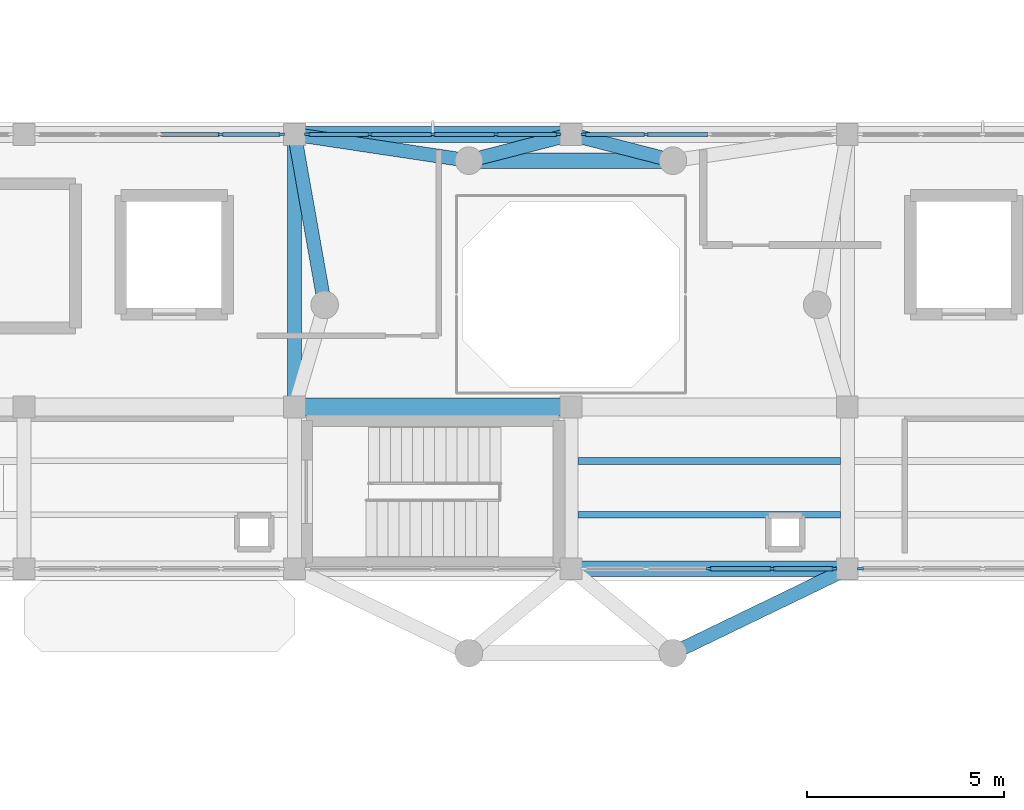
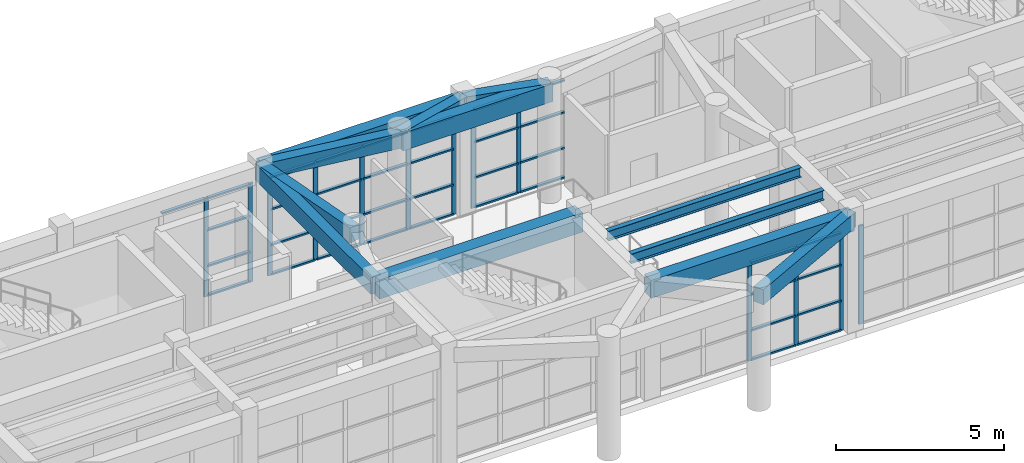
# One storey, part 18 of 85: 50 members, 12 beams, 5 elements without a shape of their own.
"""IFC4 building model written with IfcOpenShell, lengths in metres."""

from ifc_helpers import new_model, si_unit, direction, frame, origin, origin_2d, place, context, subcontext, project, spatial, rectangle, i_section, extrude, material, layer, layer_set, material_profile, profile_set, type_object, element, aggregate, save


model = new_model("IFC4")

# Units and contexts
model_context = context("Model", 3, precision=1e-05, world=origin(), true_north=direction((0.0, 1.0)))
body_context = subcontext(model_context, "Body", "Model", "MODEL_VIEW")
ifc_project = project(units=[si_unit("LENGTHUNIT", "METRE"), si_unit("AREAUNIT", "SQUARE_METRE"), si_unit("VOLUMEUNIT", "CUBIC_METRE"), si_unit("PLANEANGLEUNIT", "RADIAN"), si_unit("MASSUNIT", "GRAM", prefix="KILO")], contexts=[model_context])

# Site, building, storey
site_placement = place(None, origin())
site = spatial("IfcSite", under=ifc_project, at=site_placement, CompositionType="ELEMENT")
building_placement = place(site_placement, origin())
building = spatial("IfcBuilding", under=site, at=building_placement, Name="Candilejo Ridge Gondola Terminal", CompositionType="ELEMENT")
storey_placement = place(building_placement, frame((0.0, 0.0, 4.5)))
storey = spatial("IfcBuildingStorey", under=building, at=storey_placement, Name="L01", CompositionType="ELEMENT", Elevation=4.5)

# Curtain wall, members
ifc_material_1 = material(Name="Anodised aluminium AA 6063-T6", Category="aluminium")
ifc_layer_1 = layer(ifc_material_1, 0.169921875)
ifc_layer_set_1 = layer_set([ifc_layer_1], Name="ARC-CW-DRUM-3400-625X359")
curtain_wall_type_1 = type_object("IfcCurtainWallType", Name="ARC-CW-DRUM-3400-625X359", PredefinedType="NOTDEFINED", material=ifc_layer_set_1)
curtain_wall_1_placement = place(storey_placement, origin())
curtain_wall_1 = element("IfcCurtainWall", 1, at=curtain_wall_1_placement, inside=storey, type_object=curtain_wall_type_1, Name="Curtain wall V2 L01-036", PredefinedType="NOTDEFINED")
ifc_material_2 = material(Name="Anodised aluminium AA 6063-T6", Category="aluminium")
ifc_material_profile_1 = material_profile(ifc_material_2, rectangle(XDim=0.06494140625, YDim=0.14990234375, at=origin_2d()))
ifc_profile_set_1 = profile_set([ifc_material_profile_1], Name="Anodised aluminium AA 6063-T6")
member_type_1 = type_object("IfcMemberType", Name="ARC-CW-MULLION-150", PredefinedType="MULLION", material=ifc_profile_set_1)
member_1_placement = place(storey_placement, frame((56.487548828125, 36.699951171875, 0.0), z_axis=(0.0, 0.0, 1.0), x_axis=(0.0, 1.0, 0.0)))
member_1 = element("IfcMember", 2, at=member_1_placement, type_object=member_type_1, Name="CW-62X35 mullion 4", PredefinedType="MULLION", context=body_context, shape_type="SweptSolid", body=[
    extrude(rectangle(XDim=0.06494140625, YDim=0.14990234375, at=origin_2d()), origin(), (0.0, 0.0, 1.0), 3.590087890625),
])
member_2_placement = place(storey_placement, frame((58.017578125, 36.699951171875, 0.0), z_axis=(0.0, 0.0, 1.0), x_axis=(0.0, 1.0, 0.0)))
member_2 = element("IfcMember", 3, at=member_2_placement, type_object=member_type_1, Name="CW-62X35 mullion 5", PredefinedType="MULLION", context=body_context, shape_type="SweptSolid", body=[
    extrude(rectangle(XDim=0.06494140625, YDim=0.14990234375, at=origin_2d()), origin(), (0.0, 0.0, 1.0), 3.590087890625),
])

ifc_material_3 = material(Name="Anodised aluminium AA 6063-T6", Category="aluminium")
ifc_layer_2 = layer(ifc_material_3, 0.169921875)
ifc_layer_set_2 = layer_set([ifc_layer_2], Name="ARC-CW-DRUM-3400-640X359")
curtain_wall_type_2 = type_object("IfcCurtainWallType", Name="ARC-CW-DRUM-3400-640X359", PredefinedType="NOTDEFINED", material=ifc_layer_set_2)
curtain_wall_2_placement = place(storey_placement, origin())
curtain_wall_2 = element("IfcCurtainWall", 4, at=curtain_wall_2_placement, inside=storey, type_object=curtain_wall_type_2, Name="Curtain wall V2 L01-038", PredefinedType="NOTDEFINED")
member_3_placement = place(storey_placement, frame((58.6826171875, 36.699951171875, 0.0), z_axis=(0.0, 0.0, 1.0), x_axis=(0.0, 1.0, 0.0)))
member_3 = element("IfcMember", 5, at=member_3_placement, type_object=member_type_1, Name="CW-64X35 mullion 1", PredefinedType="MULLION", context=body_context, shape_type="SweptSolid", body=[
    extrude(rectangle(XDim=0.06494140625, YDim=0.14990234375, at=origin_2d()), origin(), (0.0, 0.0, 1.0), 3.590087890625),
])
member_4_placement = place(storey_placement, frame((60.25, 36.699951171875, 0.0), z_axis=(0.0, 0.0, 1.0), x_axis=(0.0, 1.0, 0.0)))
member_4 = element("IfcMember", 6, at=member_4_placement, type_object=member_type_1, Name="CW-64X35 mullion 2", PredefinedType="MULLION", context=body_context, shape_type="SweptSolid", body=[
    extrude(rectangle(XDim=0.06494140625, YDim=0.14990234375, at=origin_2d()), origin(), (0.0, 0.0, 1.0), 3.590087890625),
])
member_5_placement = place(storey_placement, frame((61.85009765625, 36.699951171875, 0.0), z_axis=(0.0, 0.0, 1.0), x_axis=(0.0, 1.0, 0.0)))
member_5 = element("IfcMember", 7, at=member_5_placement, type_object=member_type_1, Name="CW-64X35 mullion 3", PredefinedType="MULLION", context=body_context, shape_type="SweptSolid", body=[
    extrude(rectangle(XDim=0.06494140625, YDim=0.14990234375, at=origin_2d()), origin(), (0.0, 0.0, 1.0), 3.590087890625),
])
member_6_placement = place(storey_placement, frame((63.449951171875, 36.699951171875, 0.0), z_axis=(0.0, 0.0, 1.0), x_axis=(0.0, 1.0, 0.0)))
member_6 = element("IfcMember", 8, at=member_6_placement, type_object=member_type_1, Name="CW-64X35 mullion 4", PredefinedType="MULLION", context=body_context, shape_type="SweptSolid", body=[
    extrude(rectangle(XDim=0.06494140625, YDim=0.14990234375, at=origin_2d()), origin(), (0.0, 0.0, 1.0), 3.590087890625),
])
member_7_placement = place(storey_placement, frame((65.017578125, 36.699951171875, 0.0), z_axis=(0.0, 0.0, 1.0), x_axis=(0.0, 1.0, 0.0)))
member_7 = element("IfcMember", 9, at=member_7_placement, type_object=member_type_1, Name="CW-64X35 mullion 5", PredefinedType="MULLION", context=body_context, shape_type="SweptSolid", body=[
    extrude(rectangle(XDim=0.06494140625, YDim=0.14990234375, at=origin_2d()), origin(), (0.0, 0.0, 1.0), 3.590087890625),
])

curtain_wall_3_placement = place(storey_placement, origin())
curtain_wall_3 = element("IfcCurtainWall", 10, at=curtain_wall_3_placement, inside=storey, type_object=curtain_wall_type_2, Name="Curtain wall V2 L01-040", PredefinedType="NOTDEFINED")
member_8_placement = place(storey_placement, frame((65.6826171875, 36.699951171875, 0.0), z_axis=(0.0, 0.0, 1.0), x_axis=(0.0, 1.0, 0.0)))
member_8 = element("IfcMember", 11, at=member_8_placement, type_object=member_type_1, Name="CW-64X35 mullion 1", PredefinedType="MULLION", context=body_context, shape_type="SweptSolid", body=[
    extrude(rectangle(XDim=0.06494140625, YDim=0.14990234375, at=origin_2d()), origin(), (0.0, 0.0, 1.0), 3.590087890625),
])
member_9_placement = place(storey_placement, frame((67.25, 36.699951171875, 0.0), z_axis=(0.0, 0.0, 1.0), x_axis=(0.0, 1.0, 0.0)))
member_9 = element("IfcMember", 12, at=member_9_placement, type_object=member_type_1, Name="CW-64X35 mullion 2", PredefinedType="MULLION", context=body_context, shape_type="SweptSolid", body=[
    extrude(rectangle(XDim=0.06494140625, YDim=0.14990234375, at=origin_2d()), origin(), (0.0, 0.0, 1.0), 3.590087890625),
])

curtain_wall_4_placement = place(storey_placement, origin())
curtain_wall_4 = element("IfcCurtainWall", 13, at=curtain_wall_4_placement, inside=storey, type_object=curtain_wall_type_2, Name="Curtain wall V2 L01-041", PredefinedType="NOTDEFINED")
member_10_placement = place(storey_placement, frame((68.85009765625, 25.699951171875, 0.0), z_axis=(0.0, 0.0, 1.0), x_axis=(0.0, 1.0, 0.0)))
member_10 = element("IfcMember", 14, at=member_10_placement, type_object=member_type_1, Name="CW-64X35 mullion 3", PredefinedType="MULLION", context=body_context, shape_type="SweptSolid", body=[
    extrude(rectangle(XDim=0.06494140625, YDim=0.14990234375, at=origin_2d()), origin(), (0.0, 0.0, 1.0), 3.590087890625),
])
member_11_placement = place(storey_placement, frame((70.449951171875, 25.699951171875, 0.0), z_axis=(0.0, 0.0, 1.0), x_axis=(0.0, 1.0, 0.0)))
member_11 = element("IfcMember", 15, at=member_11_placement, type_object=member_type_1, Name="CW-64X35 mullion 4", PredefinedType="MULLION", context=body_context, shape_type="SweptSolid", body=[
    extrude(rectangle(XDim=0.06494140625, YDim=0.14990234375, at=origin_2d()), origin(), (0.0, 0.0, 1.0), 3.590087890625),
])
member_12_placement = place(storey_placement, frame((72.017578125, 25.699951171875, 0.0), z_axis=(0.0, 0.0, 1.0), x_axis=(0.0, 1.0, 0.0)))
member_12 = element("IfcMember", 16, at=member_12_placement, type_object=member_type_1, Name="CW-64X35 mullion 5", PredefinedType="MULLION", context=body_context, shape_type="SweptSolid", body=[
    extrude(rectangle(XDim=0.06494140625, YDim=0.14990234375, at=origin_2d()), origin(), (0.0, 0.0, 1.0), 3.590087890625),
])

# Curtain wall, member
curtain_wall_5_placement = place(storey_placement, origin())
curtain_wall_5 = element("IfcCurtainWall", 17, at=curtain_wall_5_placement, inside=storey, type_object=curtain_wall_type_1, Name="Curtain wall V2 L01-043", PredefinedType="NOTDEFINED")
member_13_placement = place(storey_placement, frame((72.6826171875, 25.699951171875, 0.0), z_axis=(0.0, 0.0, 1.0), x_axis=(0.0, 1.0, 0.0)))
member_13 = element("IfcMember", 18, at=member_13_placement, type_object=member_type_1, Name="CW-62X35 mullion 1", PredefinedType="MULLION", context=body_context, shape_type="SweptSolid", body=[
    extrude(rectangle(XDim=0.06494140625, YDim=0.14990234375, at=origin_2d()), origin(), (0.0, 0.0, 1.0), 3.590087890625),
])
aggregate(curtain_wall_5, [member_13])

# Member
ifc_material_4 = material(Name="Anodised aluminium AA 6063-T6", Category="aluminium")
ifc_material_profile_2 = material_profile(ifc_material_4, rectangle(XDim=0.110107421875, YDim=0.06005859375, at=origin_2d()))
ifc_profile_set_2 = profile_set([ifc_material_profile_2], Name="Anodised aluminium AA 6063-T6")
member_type_2 = type_object("IfcMemberType", Name="ARC-CW-TRANSOM-110", PredefinedType="USERDEFINED", material=ifc_profile_set_2)
member_14_placement = place(storey_placement, frame((54.95751953125, 36.699951171875, 3.56005859375), z_axis=(1.0, 0.0, 0.0), x_axis=(0.0, 1.0, 0.0)))
member_14 = element("IfcMember", 19, at=member_14_placement, type_object=member_type_2, Name="CW-62X35 transom 3.4", ObjectType="TRANSOM", PredefinedType="USERDEFINED", context=body_context, shape_type="SweptSolid", body=[
    extrude(rectangle(XDim=0.110107421875, YDim=0.06005859375, at=origin_2d()), origin(), (0.0, 0.0, 1.0), 1.49755859375),
])

member_15_placement = place(storey_placement, frame((56.52001953125, 36.699951171875, 0.030029296875), z_axis=(1.0, 0.0, 0.0), x_axis=(0.0, 1.0, 0.0)))
member_15 = element("IfcMember", 20, at=member_15_placement, type_object=member_type_2, Name="CW-62X35 transom 4.1", ObjectType="TRANSOM", PredefinedType="USERDEFINED", context=body_context, shape_type="SweptSolid", body=[
    extrude(rectangle(XDim=0.110107421875, YDim=0.06005859375, at=origin_2d()), origin(), (0.0, 0.0, 1.0), 1.465087890625),
])

member_16_placement = place(storey_placement, frame((56.52001953125, 36.699951171875, 1.10009765625), z_axis=(1.0, 0.0, 0.0), x_axis=(0.0, 1.0, 0.0)))
member_16 = element("IfcMember", 21, at=member_16_placement, type_object=member_type_2, Name="CW-62X35 transom 4.2", ObjectType="TRANSOM", PredefinedType="USERDEFINED", context=body_context, shape_type="SweptSolid", body=[
    extrude(rectangle(XDim=0.110107421875, YDim=0.06005859375, at=origin_2d()), origin(), (0.0, 0.0, 1.0), 1.465087890625),
])

member_17_placement = place(storey_placement, frame((56.52001953125, 36.699951171875, 2.39990234375), z_axis=(1.0, 0.0, 0.0), x_axis=(0.0, 1.0, 0.0)))
member_17 = element("IfcMember", 22, at=member_17_placement, type_object=member_type_2, Name="CW-62X35 transom 4.3", ObjectType="TRANSOM", PredefinedType="USERDEFINED", context=body_context, shape_type="SweptSolid", body=[
    extrude(rectangle(XDim=0.110107421875, YDim=0.06005859375, at=origin_2d()), origin(), (0.0, 0.0, 1.0), 1.465087890625),
])

member_18_placement = place(storey_placement, frame((56.52001953125, 36.699951171875, 3.56005859375), z_axis=(1.0, 0.0, 0.0), x_axis=(0.0, 1.0, 0.0)))
member_18 = element("IfcMember", 23, at=member_18_placement, type_object=member_type_2, Name="CW-62X35 transom 4.4", ObjectType="TRANSOM", PredefinedType="USERDEFINED", context=body_context, shape_type="SweptSolid", body=[
    extrude(rectangle(XDim=0.110107421875, YDim=0.06005859375, at=origin_2d()), origin(), (0.0, 0.0, 1.0), 1.465087890625),
])

aggregate(curtain_wall_1, [member_1, member_2, member_14, member_15, member_16, member_17, member_18])

member_19_placement = place(storey_placement, frame((58.715087890625, 36.699951171875, 0.030029296875), z_axis=(1.0, 0.0, 0.0), x_axis=(0.0, 1.0, 0.0)))
member_19 = element("IfcMember", 24, at=member_19_placement, type_object=member_type_2, Name="CW-64X35 transom 1.1", ObjectType="TRANSOM", PredefinedType="USERDEFINED", context=body_context, shape_type="SweptSolid", body=[
    extrude(rectangle(XDim=0.110107421875, YDim=0.06005859375, at=origin_2d()), origin(), (0.0, 0.0, 1.0), 1.50244140625),
])

member_20_placement = place(storey_placement, frame((58.715087890625, 36.699951171875, 1.10009765625), z_axis=(1.0, 0.0, 0.0), x_axis=(0.0, 1.0, 0.0)))
member_20 = element("IfcMember", 25, at=member_20_placement, type_object=member_type_2, Name="CW-64X35 transom 1.2", ObjectType="TRANSOM", PredefinedType="USERDEFINED", context=body_context, shape_type="SweptSolid", body=[
    extrude(rectangle(XDim=0.110107421875, YDim=0.06005859375, at=origin_2d()), origin(), (0.0, 0.0, 1.0), 1.50244140625),
])

member_21_placement = place(storey_placement, frame((58.715087890625, 36.699951171875, 2.39990234375), z_axis=(1.0, 0.0, 0.0), x_axis=(0.0, 1.0, 0.0)))
member_21 = element("IfcMember", 26, at=member_21_placement, type_object=member_type_2, Name="CW-64X35 transom 1.3", ObjectType="TRANSOM", PredefinedType="USERDEFINED", context=body_context, shape_type="SweptSolid", body=[
    extrude(rectangle(XDim=0.110107421875, YDim=0.06005859375, at=origin_2d()), origin(), (0.0, 0.0, 1.0), 1.50244140625),
])

member_22_placement = place(storey_placement, frame((58.715087890625, 36.699951171875, 3.56005859375), z_axis=(1.0, 0.0, 0.0), x_axis=(0.0, 1.0, 0.0)))
member_22 = element("IfcMember", 27, at=member_22_placement, type_object=member_type_2, Name="CW-64X35 transom 1.4", ObjectType="TRANSOM", PredefinedType="USERDEFINED", context=body_context, shape_type="SweptSolid", body=[
    extrude(rectangle(XDim=0.110107421875, YDim=0.06005859375, at=origin_2d()), origin(), (0.0, 0.0, 1.0), 1.50244140625),
])

member_23_placement = place(storey_placement, frame((60.282470703125, 36.699951171875, 0.030029296875), z_axis=(1.0, 0.0, 0.0), x_axis=(0.0, 1.0, 0.0)))
member_23 = element("IfcMember", 28, at=member_23_placement, type_object=member_type_2, Name="CW-64X35 transom 2.1", ObjectType="TRANSOM", PredefinedType="USERDEFINED", context=body_context, shape_type="SweptSolid", body=[
    extrude(rectangle(XDim=0.110107421875, YDim=0.06005859375, at=origin_2d()), origin(), (0.0, 0.0, 1.0), 1.534912109375),
])

member_24_placement = place(storey_placement, frame((60.282470703125, 36.699951171875, 1.10009765625), z_axis=(1.0, 0.0, 0.0), x_axis=(0.0, 1.0, 0.0)))
member_24 = element("IfcMember", 29, at=member_24_placement, type_object=member_type_2, Name="CW-64X35 transom 2.2", ObjectType="TRANSOM", PredefinedType="USERDEFINED", context=body_context, shape_type="SweptSolid", body=[
    extrude(rectangle(XDim=0.110107421875, YDim=0.06005859375, at=origin_2d()), origin(), (0.0, 0.0, 1.0), 1.534912109375),
])

member_25_placement = place(storey_placement, frame((60.282470703125, 36.699951171875, 2.39990234375), z_axis=(1.0, 0.0, 0.0), x_axis=(0.0, 1.0, 0.0)))
member_25 = element("IfcMember", 30, at=member_25_placement, type_object=member_type_2, Name="CW-64X35 transom 2.3", ObjectType="TRANSOM", PredefinedType="USERDEFINED", context=body_context, shape_type="SweptSolid", body=[
    extrude(rectangle(XDim=0.110107421875, YDim=0.06005859375, at=origin_2d()), origin(), (0.0, 0.0, 1.0), 1.534912109375),
])

member_26_placement = place(storey_placement, frame((60.282470703125, 36.699951171875, 3.56005859375), z_axis=(1.0, 0.0, 0.0), x_axis=(0.0, 1.0, 0.0)))
member_26 = element("IfcMember", 31, at=member_26_placement, type_object=member_type_2, Name="CW-64X35 transom 2.4", ObjectType="TRANSOM", PredefinedType="USERDEFINED", context=body_context, shape_type="SweptSolid", body=[
    extrude(rectangle(XDim=0.110107421875, YDim=0.06005859375, at=origin_2d()), origin(), (0.0, 0.0, 1.0), 1.534912109375),
])

member_27_placement = place(storey_placement, frame((61.882568359375, 36.699951171875, 0.030029296875), z_axis=(1.0, 0.0, 0.0), x_axis=(0.0, 1.0, 0.0)))
member_27 = element("IfcMember", 32, at=member_27_placement, type_object=member_type_2, Name="CW-64X35 transom 3.1", ObjectType="TRANSOM", PredefinedType="USERDEFINED", context=body_context, shape_type="SweptSolid", body=[
    extrude(rectangle(XDim=0.110107421875, YDim=0.06005859375, at=origin_2d()), origin(), (0.0, 0.0, 1.0), 1.534912109375),
])

member_28_placement = place(storey_placement, frame((61.882568359375, 36.699951171875, 1.10009765625), z_axis=(1.0, 0.0, 0.0), x_axis=(0.0, 1.0, 0.0)))
member_28 = element("IfcMember", 33, at=member_28_placement, type_object=member_type_2, Name="CW-64X35 transom 3.2", ObjectType="TRANSOM", PredefinedType="USERDEFINED", context=body_context, shape_type="SweptSolid", body=[
    extrude(rectangle(XDim=0.110107421875, YDim=0.06005859375, at=origin_2d()), origin(), (0.0, 0.0, 1.0), 1.534912109375),
])

member_29_placement = place(storey_placement, frame((61.882568359375, 36.699951171875, 2.39990234375), z_axis=(1.0, 0.0, 0.0), x_axis=(0.0, 1.0, 0.0)))
member_29 = element("IfcMember", 34, at=member_29_placement, type_object=member_type_2, Name="CW-64X35 transom 3.3", ObjectType="TRANSOM", PredefinedType="USERDEFINED", context=body_context, shape_type="SweptSolid", body=[
    extrude(rectangle(XDim=0.110107421875, YDim=0.06005859375, at=origin_2d()), origin(), (0.0, 0.0, 1.0), 1.534912109375),
])

member_30_placement = place(storey_placement, frame((61.882568359375, 36.699951171875, 3.56005859375), z_axis=(1.0, 0.0, 0.0), x_axis=(0.0, 1.0, 0.0)))
member_30 = element("IfcMember", 35, at=member_30_placement, type_object=member_type_2, Name="CW-64X35 transom 3.4", ObjectType="TRANSOM", PredefinedType="USERDEFINED", context=body_context, shape_type="SweptSolid", body=[
    extrude(rectangle(XDim=0.110107421875, YDim=0.06005859375, at=origin_2d()), origin(), (0.0, 0.0, 1.0), 1.534912109375),
])

member_31_placement = place(storey_placement, frame((63.482421875, 36.699951171875, 0.030029296875), z_axis=(1.0, 0.0, 0.0), x_axis=(0.0, 1.0, 0.0)))
member_31 = element("IfcMember", 36, at=member_31_placement, type_object=member_type_2, Name="CW-64X35 transom 4.1", ObjectType="TRANSOM", PredefinedType="USERDEFINED", context=body_context, shape_type="SweptSolid", body=[
    extrude(rectangle(XDim=0.110107421875, YDim=0.06005859375, at=origin_2d()), origin(), (0.0, 0.0, 1.0), 1.502685546875),
])

member_32_placement = place(storey_placement, frame((63.482421875, 36.699951171875, 1.10009765625), z_axis=(1.0, 0.0, 0.0), x_axis=(0.0, 1.0, 0.0)))
member_32 = element("IfcMember", 37, at=member_32_placement, type_object=member_type_2, Name="CW-64X35 transom 4.2", ObjectType="TRANSOM", PredefinedType="USERDEFINED", context=body_context, shape_type="SweptSolid", body=[
    extrude(rectangle(XDim=0.110107421875, YDim=0.06005859375, at=origin_2d()), origin(), (0.0, 0.0, 1.0), 1.502685546875),
])

member_33_placement = place(storey_placement, frame((63.482421875, 36.699951171875, 2.39990234375), z_axis=(1.0, 0.0, 0.0), x_axis=(0.0, 1.0, 0.0)))
member_33 = element("IfcMember", 38, at=member_33_placement, type_object=member_type_2, Name="CW-64X35 transom 4.3", ObjectType="TRANSOM", PredefinedType="USERDEFINED", context=body_context, shape_type="SweptSolid", body=[
    extrude(rectangle(XDim=0.110107421875, YDim=0.06005859375, at=origin_2d()), origin(), (0.0, 0.0, 1.0), 1.502685546875),
])

member_34_placement = place(storey_placement, frame((63.482421875, 36.699951171875, 3.56005859375), z_axis=(1.0, 0.0, 0.0), x_axis=(0.0, 1.0, 0.0)))
member_34 = element("IfcMember", 39, at=member_34_placement, type_object=member_type_2, Name="CW-64X35 transom 4.4", ObjectType="TRANSOM", PredefinedType="USERDEFINED", context=body_context, shape_type="SweptSolid", body=[
    extrude(rectangle(XDim=0.110107421875, YDim=0.06005859375, at=origin_2d()), origin(), (0.0, 0.0, 1.0), 1.502685546875),
])

aggregate(curtain_wall_2, [member_3, member_4, member_5, member_6, member_7, member_19, member_20, member_21, member_22, member_23, member_24, member_25, member_26, member_27, member_28, member_29, member_30, member_31, member_32, member_33, member_34])

member_35_placement = place(storey_placement, frame((65.715087890625, 36.699951171875, 0.030029296875), z_axis=(1.0, 0.0, 0.0), x_axis=(0.0, 1.0, 0.0)))
member_35 = element("IfcMember", 40, at=member_35_placement, type_object=member_type_2, Name="CW-64X35 transom 1.1", ObjectType="TRANSOM", PredefinedType="USERDEFINED", context=body_context, shape_type="SweptSolid", body=[
    extrude(rectangle(XDim=0.110107421875, YDim=0.06005859375, at=origin_2d()), origin(), (0.0, 0.0, 1.0), 1.50244140625),
])

member_36_placement = place(storey_placement, frame((65.715087890625, 36.699951171875, 1.10009765625), z_axis=(1.0, 0.0, 0.0), x_axis=(0.0, 1.0, 0.0)))
member_36 = element("IfcMember", 41, at=member_36_placement, type_object=member_type_2, Name="CW-64X35 transom 1.2", ObjectType="TRANSOM", PredefinedType="USERDEFINED", context=body_context, shape_type="SweptSolid", body=[
    extrude(rectangle(XDim=0.110107421875, YDim=0.06005859375, at=origin_2d()), origin(), (0.0, 0.0, 1.0), 1.50244140625),
])

member_37_placement = place(storey_placement, frame((65.715087890625, 36.699951171875, 2.39990234375), z_axis=(1.0, 0.0, 0.0), x_axis=(0.0, 1.0, 0.0)))
member_37 = element("IfcMember", 42, at=member_37_placement, type_object=member_type_2, Name="CW-64X35 transom 1.3", ObjectType="TRANSOM", PredefinedType="USERDEFINED", context=body_context, shape_type="SweptSolid", body=[
    extrude(rectangle(XDim=0.110107421875, YDim=0.06005859375, at=origin_2d()), origin(), (0.0, 0.0, 1.0), 1.50244140625),
])

member_38_placement = place(storey_placement, frame((65.715087890625, 36.699951171875, 3.56005859375), z_axis=(1.0, 0.0, 0.0), x_axis=(0.0, 1.0, 0.0)))
member_38 = element("IfcMember", 43, at=member_38_placement, type_object=member_type_2, Name="CW-64X35 transom 1.4", ObjectType="TRANSOM", PredefinedType="USERDEFINED", context=body_context, shape_type="SweptSolid", body=[
    extrude(rectangle(XDim=0.110107421875, YDim=0.06005859375, at=origin_2d()), origin(), (0.0, 0.0, 1.0), 1.50244140625),
])

member_39_placement = place(storey_placement, frame((67.282470703125, 36.699951171875, 0.030029296875), z_axis=(1.0, 0.0, 0.0), x_axis=(0.0, 1.0, 0.0)))
member_39 = element("IfcMember", 44, at=member_39_placement, type_object=member_type_2, Name="CW-64X35 transom 2.1", ObjectType="TRANSOM", PredefinedType="USERDEFINED", context=body_context, shape_type="SweptSolid", body=[
    extrude(rectangle(XDim=0.110107421875, YDim=0.06005859375, at=origin_2d()), origin(), (0.0, 0.0, 1.0), 1.534912109375),
])

member_40_placement = place(storey_placement, frame((67.282470703125, 36.699951171875, 1.10009765625), z_axis=(1.0, 0.0, 0.0), x_axis=(0.0, 1.0, 0.0)))
member_40 = element("IfcMember", 45, at=member_40_placement, type_object=member_type_2, Name="CW-64X35 transom 2.2", ObjectType="TRANSOM", PredefinedType="USERDEFINED", context=body_context, shape_type="SweptSolid", body=[
    extrude(rectangle(XDim=0.110107421875, YDim=0.06005859375, at=origin_2d()), origin(), (0.0, 0.0, 1.0), 1.534912109375),
])

member_41_placement = place(storey_placement, frame((67.282470703125, 36.699951171875, 2.39990234375), z_axis=(1.0, 0.0, 0.0), x_axis=(0.0, 1.0, 0.0)))
member_41 = element("IfcMember", 46, at=member_41_placement, type_object=member_type_2, Name="CW-64X35 transom 2.3", ObjectType="TRANSOM", PredefinedType="USERDEFINED", context=body_context, shape_type="SweptSolid", body=[
    extrude(rectangle(XDim=0.110107421875, YDim=0.06005859375, at=origin_2d()), origin(), (0.0, 0.0, 1.0), 1.534912109375),
])

member_42_placement = place(storey_placement, frame((67.282470703125, 36.699951171875, 3.56005859375), z_axis=(1.0, 0.0, 0.0), x_axis=(0.0, 1.0, 0.0)))
member_42 = element("IfcMember", 47, at=member_42_placement, type_object=member_type_2, Name="CW-64X35 transom 2.4", ObjectType="TRANSOM", PredefinedType="USERDEFINED", context=body_context, shape_type="SweptSolid", body=[
    extrude(rectangle(XDim=0.110107421875, YDim=0.06005859375, at=origin_2d()), origin(), (0.0, 0.0, 1.0), 1.534912109375),
])

aggregate(curtain_wall_3, [member_8, member_9, member_35, member_36, member_37, member_38, member_39, member_40, member_41, member_42])

member_43_placement = place(storey_placement, frame((68.882568359375, 25.699951171875, 0.030029296875), z_axis=(1.0, 0.0, 0.0), x_axis=(0.0, 1.0, 0.0)))
member_43 = element("IfcMember", 48, at=member_43_placement, type_object=member_type_2, Name="CW-64X35 transom 3.1", ObjectType="TRANSOM", PredefinedType="USERDEFINED", context=body_context, shape_type="SweptSolid", body=[
    extrude(rectangle(XDim=0.110107421875, YDim=0.06005859375, at=origin_2d()), origin(), (0.0, 0.0, 1.0), 1.534912109375),
])

member_44_placement = place(storey_placement, frame((68.882568359375, 25.699951171875, 1.10009765625), z_axis=(1.0, 0.0, 0.0), x_axis=(0.0, 1.0, 0.0)))
member_44 = element("IfcMember", 49, at=member_44_placement, type_object=member_type_2, Name="CW-64X35 transom 3.2", ObjectType="TRANSOM", PredefinedType="USERDEFINED", context=body_context, shape_type="SweptSolid", body=[
    extrude(rectangle(XDim=0.110107421875, YDim=0.06005859375, at=origin_2d()), origin(), (0.0, 0.0, 1.0), 1.534912109375),
])

member_45_placement = place(storey_placement, frame((68.882568359375, 25.699951171875, 2.39990234375), z_axis=(1.0, 0.0, 0.0), x_axis=(0.0, 1.0, 0.0)))
member_45 = element("IfcMember", 50, at=member_45_placement, type_object=member_type_2, Name="CW-64X35 transom 3.3", ObjectType="TRANSOM", PredefinedType="USERDEFINED", context=body_context, shape_type="SweptSolid", body=[
    extrude(rectangle(XDim=0.110107421875, YDim=0.06005859375, at=origin_2d()), origin(), (0.0, 0.0, 1.0), 1.534912109375),
])

member_46_placement = place(storey_placement, frame((68.882568359375, 25.699951171875, 3.56005859375), z_axis=(1.0, 0.0, 0.0), x_axis=(0.0, 1.0, 0.0)))
member_46 = element("IfcMember", 51, at=member_46_placement, type_object=member_type_2, Name="CW-64X35 transom 3.4", ObjectType="TRANSOM", PredefinedType="USERDEFINED", context=body_context, shape_type="SweptSolid", body=[
    extrude(rectangle(XDim=0.110107421875, YDim=0.06005859375, at=origin_2d()), origin(), (0.0, 0.0, 1.0), 1.534912109375),
])

member_47_placement = place(storey_placement, frame((70.482421875, 25.699951171875, 0.030029296875), z_axis=(1.0, 0.0, 0.0), x_axis=(0.0, 1.0, 0.0)))
member_47 = element("IfcMember", 52, at=member_47_placement, type_object=member_type_2, Name="CW-64X35 transom 4.1", ObjectType="TRANSOM", PredefinedType="USERDEFINED", context=body_context, shape_type="SweptSolid", body=[
    extrude(rectangle(XDim=0.110107421875, YDim=0.06005859375, at=origin_2d()), origin(), (0.0, 0.0, 1.0), 1.502685546875),
])

member_48_placement = place(storey_placement, frame((70.482421875, 25.699951171875, 1.10009765625), z_axis=(1.0, 0.0, 0.0), x_axis=(0.0, 1.0, 0.0)))
member_48 = element("IfcMember", 53, at=member_48_placement, type_object=member_type_2, Name="CW-64X35 transom 4.2", ObjectType="TRANSOM", PredefinedType="USERDEFINED", context=body_context, shape_type="SweptSolid", body=[
    extrude(rectangle(XDim=0.110107421875, YDim=0.06005859375, at=origin_2d()), origin(), (0.0, 0.0, 1.0), 1.502685546875),
])

member_49_placement = place(storey_placement, frame((70.482421875, 25.699951171875, 2.39990234375), z_axis=(1.0, 0.0, 0.0), x_axis=(0.0, 1.0, 0.0)))
member_49 = element("IfcMember", 54, at=member_49_placement, type_object=member_type_2, Name="CW-64X35 transom 4.3", ObjectType="TRANSOM", PredefinedType="USERDEFINED", context=body_context, shape_type="SweptSolid", body=[
    extrude(rectangle(XDim=0.110107421875, YDim=0.06005859375, at=origin_2d()), origin(), (0.0, 0.0, 1.0), 1.502685546875),
])

member_50_placement = place(storey_placement, frame((70.482421875, 25.699951171875, 3.56005859375), z_axis=(1.0, 0.0, 0.0), x_axis=(0.0, 1.0, 0.0)))
member_50 = element("IfcMember", 55, at=member_50_placement, type_object=member_type_2, Name="CW-64X35 transom 4.4", ObjectType="TRANSOM", PredefinedType="USERDEFINED", context=body_context, shape_type="SweptSolid", body=[
    extrude(rectangle(XDim=0.110107421875, YDim=0.06005859375, at=origin_2d()), origin(), (0.0, 0.0, 1.0), 1.502685546875),
])

aggregate(curtain_wall_4, [member_10, member_11, member_12, member_43, member_44, member_45, member_46, member_47, member_48, member_49, member_50])

# Beams
ifc_material_5 = material(Name="Concrete f'c 35 MPa (C35/45)", Category="concrete")
ifc_material_profile_3 = material_profile(ifc_material_5, rectangle(XDim=0.35009765625, YDim=0.550048828125, at=origin_2d()))
ifc_profile_set_3 = profile_set([ifc_material_profile_3], Name="Concrete f'c 35 MPa (C35/45)")
beam_type_1 = type_object("IfcBeamType", Name="STR-BM-RC350X550", PredefinedType="BEAM", material=ifc_profile_set_3)
beam_1_placement = place(storey_placement, frame((67.93310546875, 36.0361328125, 3.97509765625), z_axis=(-0.968527619913, 0.248906105722, 0.0), x_axis=(-0.248906105722, -0.968527619913, 0.0)))
element("IfcBeam", 56, at=beam_1_placement, inside=storey, type_object=beam_type_1, Name="Rotunda radial tie beam L01 ROT2", PredefinedType="BEAM", context=body_context, shape_type="SweptSolid", body=[
    extrude(rectangle(XDim=0.35009765625, YDim=0.550048828125, at=origin_2d()), origin(), (0.0, 0.0, 1.0), 2.6669921875),
])
beam_2_placement = place(storey_placement, frame((62.766845703125, 36.0361328125, 3.97509765625), z_axis=(0.968533290652, 0.248884039059, 0.0), x_axis=(-0.248884039059, 0.968533290652, 0.0)))
element("IfcBeam", 57, at=beam_2_placement, inside=storey, type_object=beam_type_1, Name="Rotunda radial tie beam L01 ROT3", PredefinedType="BEAM", context=body_context, shape_type="SweptSolid", body=[
    extrude(rectangle(XDim=0.35009765625, YDim=0.550048828125, at=origin_2d()), origin(), (0.0, 0.0, 1.0), 2.667236328125),
])
beam_3_placement = place(storey_placement, frame((62.766845703125, 36.0361328125, 3.97509765625), z_axis=(-0.98889341039, 0.148626454196, 0.0), x_axis=(-0.148626454196, -0.98889341039, 0.0)))
element("IfcBeam", 58, at=beam_3_placement, inside=storey, type_object=beam_type_1, Name="Rotunda radial tie beam L01 ROT3", PredefinedType="BEAM", context=body_context, shape_type="SweptSolid", body=[
    extrude(rectangle(XDim=0.35009765625, YDim=0.550048828125, at=origin_2d()), origin(), (0.0, 0.0, 1.0), 4.46630859375),
])
beam_4_placement = place(storey_placement, frame((59.11376953125, 32.383056640625, 3.97509765625), z_axis=(-0.17419832165, 0.984710589328, 0.0), x_axis=(-0.984710589328, -0.17419832165, 0.0)))
element("IfcBeam", 59, at=beam_4_placement, inside=storey, type_object=beam_type_1, Name="Rotunda radial tie beam L01 ROT4", PredefinedType="BEAM", context=body_context, shape_type="SweptSolid", body=[
    extrude(rectangle(XDim=0.35009765625, YDim=0.550048828125, at=origin_2d()), origin(), (0.0, 0.0, 1.0), 4.384033203125),
])
beam_5_placement = place(storey_placement, frame((67.93310546875, 23.563720703125, 3.97509765625), z_axis=(0.900241048505, 0.435391840284, 0.0), x_axis=(-0.435391840284, 0.900241048505, 0.0)))
element("IfcBeam", 60, at=beam_5_placement, inside=storey, type_object=beam_type_1, Name="Rotunda radial tie beam L01 ROT7", PredefinedType="BEAM", context=body_context, shape_type="SweptSolid", body=[
    extrude(rectangle(XDim=0.35009765625, YDim=0.550048828125, at=origin_2d()), origin(), (0.0, 0.0, 1.0), 4.906494140625),
])
ifc_material_6 = material(Name="Concrete f'c 35 MPa (C35/45)", Category="concrete")
ifc_material_profile_4 = material_profile(ifc_material_6, rectangle(XDim=0.35009765625, YDim=0.60009765625, at=origin_2d()))
ifc_profile_set_4 = profile_set([ifc_material_profile_4], Name="Concrete f'c 35 MPa (C35/45)")
beam_type_2 = type_object("IfcBeamType", Name="STR-BM-RC350X600", PredefinedType="BEAM", material=ifc_profile_set_4)
beam_6_placement = place(storey_placement, frame((58.35009765625, 29.800048828125, 3.949951171875), z_axis=(0.0, 1.0, 0.0), x_axis=(-1.0, 0.0, 0.0)))
element("IfcBeam", 61, at=beam_6_placement, inside=storey, type_object=beam_type_2, Name="Beam Y V2 L01 Y06-Y07@X09", PredefinedType="BEAM", context=body_context, shape_type="SweptSolid", body=[
    extrude(rectangle(XDim=0.35009765625, YDim=0.60009765625, at=origin_2d()), origin(), (0.0, 0.0, 1.0), 6.89990234375),
])
ifc_material_7 = material(Name="Concrete f'c 35 MPa (C35/45)", Category="concrete")
ifc_material_profile_5 = material_profile(ifc_material_7, rectangle(XDim=0.449951171875, YDim=0.699951171875, at=origin_2d()))
ifc_profile_set_5 = profile_set([ifc_material_profile_5], Name="Concrete f'c 35 MPa (C35/45)")
beam_type_3 = type_object("IfcBeamType", Name="STR-BM-RC450X700", PredefinedType="BEAM", material=ifc_profile_set_5)
beam_7_placement = place(storey_placement, frame((58.35009765625, 29.800048828125, 3.89990234375), z_axis=(1.0, 0.0, 0.0), x_axis=(0.0, 1.0, 0.0)))
element("IfcBeam", 62, at=beam_7_placement, inside=storey, type_object=beam_type_3, Name="Beam X V2 L01 X09-X10@Y06", PredefinedType="BEAM", context=body_context, shape_type="SweptSolid", body=[
    extrude(rectangle(XDim=0.449951171875, YDim=0.699951171875, at=origin_2d()), origin(), (0.0, 0.0, 1.0), 7.0),
])
ifc_material_8 = material(Name="Steel ASTM A992 Grade 50", Category="steel")
ifc_material_profile_6 = material_profile(ifc_material_8, i_section(OverallWidth=0.1708984375, OverallDepth=0.35498046875, WebThickness=0.007080078125, FlangeThickness=0.01171875, at=origin_2d()))
ifc_profile_set_6 = profile_set([ifc_material_profile_6], Name="Steel ASTM A992 Grade 50")
beam_type_4 = type_object("IfcBeamType", Name="STR-JST-W360X51", PredefinedType="JOIST", material=ifc_profile_set_6)
for number, where, z_axis, x_axis, name in (
    (63, (65.52490234375, 27.066650390625, 4.072509765625), (1.0, 0.0, 0.0), (0.0, 1.0, 0.0), "Composite joist V2 L01-0257"),
    (64, (65.52490234375, 28.433349609375, 4.072509765625), (1.0, 0.0, 0.0), (0.0, 1.0, 0.0), "Composite joist V2 L01-0258"),
):
    element("IfcBeam", number, at=place(storey_placement, frame(where, z_axis=z_axis, x_axis=x_axis)), inside=storey, type_object=beam_type_4, Name=name, PredefinedType="JOIST", context=body_context, shape_type="SweptSolid", body=[
        extrude(i_section(OverallWidth=0.1708984375, OverallDepth=0.35498046875, WebThickness=0.007080078125, FlangeThickness=0.01171875, at=origin_2d()), origin(), (0.0, 0.0, 1.0), 6.650146484375),
    ])
ifc_material_9 = material(Name="Concrete f'c 35 MPa (C35/45)", Category="concrete")
ifc_material_profile_7 = material_profile(ifc_material_9, rectangle(XDim=0.39990234375, YDim=0.64990234375, at=origin_2d()))
ifc_profile_set_7 = profile_set([ifc_material_profile_7], Name="Concrete f'c 35 MPa (C35/45)")
beam_type_5 = type_object("IfcBeamType", Name="STR-SPN-RC400X650", PredefinedType="SPANDREL", material=ifc_profile_set_7)
for number, where, z_axis, x_axis, name in (
    (65, (65.35009765625, 25.699951171875, 3.925048828125), (1.0, 0.0, 0.0), (0.0, 1.0, 0.0), "Beam X V2 L01 X10-X11@Y05"),
    (66, (58.35009765625, 36.699951171875, 3.925048828125), (1.0, 0.0, 0.0), (0.0, 1.0, 0.0), "Beam X V2 L01 X09-X10@Y07"),
):
    element("IfcBeam", number, at=place(storey_placement, frame(where, z_axis=z_axis, x_axis=x_axis)), inside=storey, type_object=beam_type_5, Name=name, PredefinedType="SPANDREL", context=body_context, shape_type="SweptSolid", body=[
        extrude(rectangle(XDim=0.39990234375, YDim=0.64990234375, at=origin_2d()), origin(), (0.0, 0.0, 1.0), 7.0),
    ])
beam_8_placement = place(storey_placement, frame((67.93310546875, 36.0361328125, 3.925048828125), z_axis=(-1.0, 0.0, 0.0), x_axis=(0.0, -1.0, 0.0)))
element("IfcBeam", 67, at=beam_8_placement, inside=storey, type_object=beam_type_5, Name="Rotunda ring beam L01 ROT2-ROT3", PredefinedType="SPANDREL", context=body_context, shape_type="SweptSolid", body=[
    extrude(rectangle(XDim=0.39990234375, YDim=0.64990234375, at=origin_2d()), origin(), (0.0, 0.0, 1.0), 5.166259765625),
])

save(model, "model.ifc")
